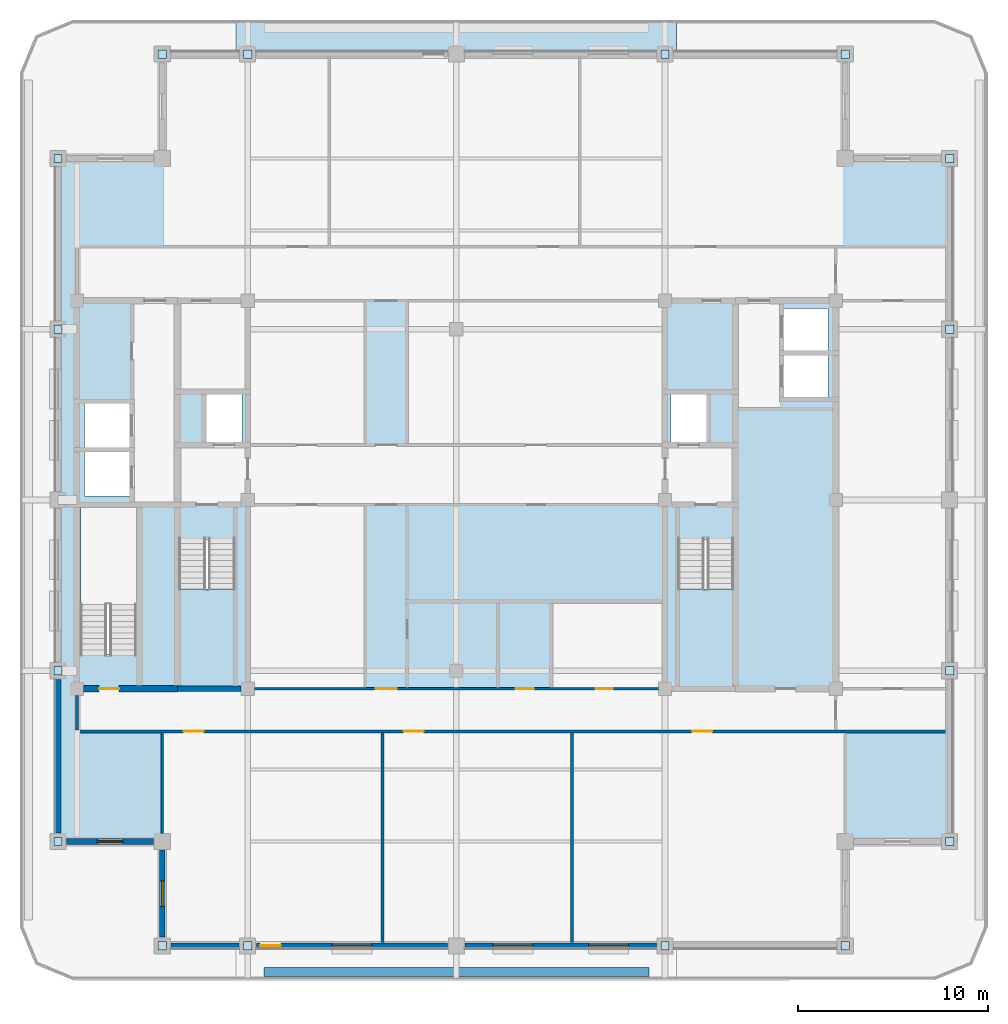
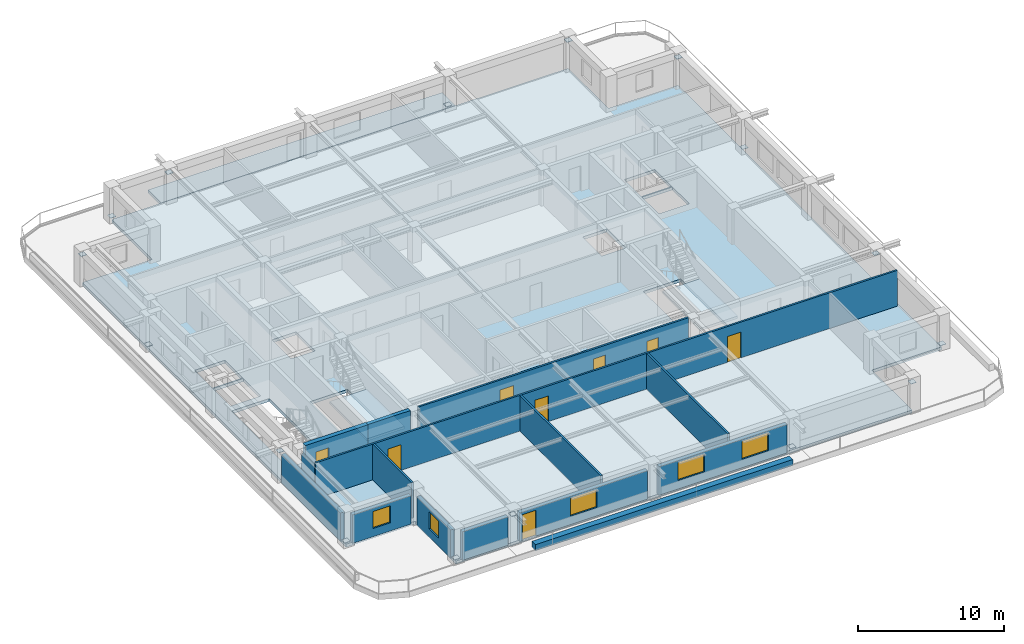
# One storey, part 2 of 11: 16 plates, 15 walls, 8 doors, 5 windows, 4 slabs, 13 openings, 2 elements without a shape of their own.
"""IFC4 building model written with IfcOpenShell, lengths in metres."""

import ifcopenshell
import ifcopenshell.guid

model = None  # the IFC model being written
_history = None  # IfcOwnerHistory: only IFC2X3 demands one
_inside = {}  # id of a spatial element -> (the spatial element, [elements in it])
_under = {}  # id of a project, library or spatial element -> (it, [spatial elements below it])
_declared = {}  # id of a project -> (the project, [libraries it declares])
_typed = {}  # id of a type object -> (the type object, [elements of that type])
_made_of = {}  # id of a material, layer set ... -> (it, [elements and type objects made of it])


def new_model(schema):
    """Start an empty IFC model of exactly this schema.

    Asked for "IFC4X3", IfcOpenShell would pick the latest addendum, in which some entities
    have other attributes; the version numbers below select the first issue.
    IFC2X3 requires an IfcOwnerHistory on every rooted entity: one is made here for all.
    """
    global model, _history
    if schema == "IFC4X3":
        model = ifcopenshell.file(schema_version=(4, 3, 0, 0))
    else:
        model = ifcopenshell.file(schema=schema)
    _inside.clear()
    _under.clear()
    _declared.clear()
    _typed.clear()
    _made_of.clear()
    _history = None
    if model.schema == "IFC2X3":
        org = make("IfcOrganization", Name="unknown")
        user = make(
            "IfcPersonAndOrganization",
            ThePerson=make("IfcPerson", FamilyName="unknown"),
            TheOrganization=org,
        )
        app = make(
            "IfcApplication",
            ApplicationDeveloper=org,
            Version="unknown",
            ApplicationFullName="unknown",
            ApplicationIdentifier="unknown",
        )
        _history = make(
            "IfcOwnerHistory",
            OwningUser=user,
            OwningApplication=app,
            ChangeAction="ADDED",
            CreationDate=0,
        )
    return model


def make(cls, **values):
    """One entity of the class cls with the attributes given. An attribute that is None is left unset."""
    return model.create_entity(
        cls, **{name: value for name, value in values.items() if value is not None}
    )


def rooted(cls, **values):
    """An entity with a GlobalId (a new one), such as an element, a storey or a relation."""
    return make(cls, GlobalId=ifcopenshell.guid.new(), OwnerHistory=_history, **values)


def si_unit(unit_type, name, prefix=None):
    """IfcSIUnit, for example si_unit("LENGTHUNIT", "METRE", prefix="MILLI")."""
    return make("IfcSIUnit", UnitType=unit_type, Prefix=prefix, Name=name)


def assignment(units):
    """IfcUnitAssignment: the units of a project."""
    return None if units is None else make("IfcUnitAssignment", Units=units)


def point(xyz):
    """IfcCartesianPoint."""
    return None if xyz is None else make("IfcCartesianPoint", Coordinates=xyz)


def direction(xyz):
    """IfcDirection."""
    return None if xyz is None else make("IfcDirection", DirectionRatios=xyz)


def frame(location, z_axis=None, x_axis=None):
    """IfcAxis2Placement3D, a coordinate frame: its origin and axes. An axis left out is left unset."""
    return make(
        "IfcAxis2Placement3D",
        Location=point(location),
        Axis=direction(z_axis),
        RefDirection=direction(x_axis),
    )


def frame_2d(location, x_axis=None):
    """IfcAxis2Placement2D, a coordinate frame in the plane: its origin and x axis."""
    return make(
        "IfcAxis2Placement2D", Location=point(location), RefDirection=direction(x_axis)
    )


def origin():
    """The frame at (0, 0, 0) with its axes left unset."""
    return frame((0.0, 0.0, 0.0))


def origin_2d():
    """The frame at (0, 0) in the plane with its x axis left unset."""
    return frame_2d((0.0, 0.0))


def place(relative_to, where):
    """IfcLocalPlacement: puts the frame where relative to a parent placement (None: the world)."""
    return make(
        "IfcLocalPlacement", PlacementRelTo=relative_to, RelativePlacement=where
    )


def context(
    kind, dimensions, precision=None, world=None, true_north=None, identifier=None
):
    """IfcGeometricRepresentationContext, for example the 3D "Model" context."""
    return make(
        "IfcGeometricRepresentationContext",
        ContextIdentifier=identifier,
        ContextType=kind,
        CoordinateSpaceDimension=dimensions,
        Precision=precision,
        WorldCoordinateSystem=world,
        TrueNorth=true_north,
    )


def subcontext(parent, identifier, kind, view, scale=None):
    """IfcGeometricRepresentationSubContext, for example "Body" below "Model"."""
    return make(
        "IfcGeometricRepresentationSubContext",
        ContextIdentifier=identifier,
        ContextType=kind,
        ParentContext=parent,
        TargetScale=scale,
        TargetView=view,
    )


def project(units=None, contexts=None):
    """IfcProject with its units and contexts."""
    return rooted(
        "IfcProject",
        Name="project",
        RepresentationContexts=contexts,
        UnitsInContext=assignment(units),
    )


def spatial(cls, under=None, at=None, **own):
    """A site, building, storey or space (cls), placed at a placement, below another one or the project."""
    s = rooted(cls, ObjectPlacement=at, **own)
    if under is not None:
        _under.setdefault(under.id(), (under, []))[1].append(s)
    return s


def polyline(points):
    """IfcPolyline through the points."""
    return make("IfcPolyline", Points=[point(p) for p in points])


def profile(cls, at=None, kind="AREA", **sizes):
    """A parametric profile (cls). Its sizes go by their IFC names, for example OverallWidth=200.0."""
    return make(cls, ProfileType=kind, Position=at, **sizes)


def rectangle(**sizes):
    """IfcRectangleProfileDef."""
    return profile("IfcRectangleProfileDef", **sizes)


def outline(outer, holes=None, kind="AREA"):
    """IfcArbitraryClosedProfileDef: a profile drawn as a closed curve; with holes, ...WithVoids."""
    if holes is None:
        return make("IfcArbitraryClosedProfileDef", ProfileType=kind, OuterCurve=outer)
    return make(
        "IfcArbitraryProfileDefWithVoids",
        ProfileType=kind,
        OuterCurve=outer,
        InnerCurves=holes,
    )


def extrude(swept, where, along, depth):
    """IfcExtrudedAreaSolid: the profile swept, set in the frame where, extruded along a direction by depth."""
    return make(
        "IfcExtrudedAreaSolid",
        SweptArea=swept,
        Position=where,
        ExtrudedDirection=direction(along),
        Depth=depth,
    )


def shape(context_of_items, identifier, shape_type, items):
    """IfcShapeRepresentation: the items that make up one representation, for example the "Body"."""
    return make(
        "IfcShapeRepresentation",
        ContextOfItems=context_of_items,
        RepresentationIdentifier=identifier,
        RepresentationType=shape_type,
        Items=items,
    )


def material(Name=None, Category=None):
    """IfcMaterial."""
    return make("IfcMaterial", Name=Name, Category=Category)


def layer(
    of_material, thickness, ventilated=None, Name=None, Category=None, Priority=None
):
    """IfcMaterialLayer: one layer of a wall or slab, of a material (None: an air gap)."""
    return make(
        "IfcMaterialLayer",
        Material=of_material,
        LayerThickness=thickness,
        IsVentilated=ventilated,
        Name=Name,
        Category=Category,
        Priority=Priority,
    )


def layer_set(layers, Name=None):
    """IfcMaterialLayerSet."""
    return make("IfcMaterialLayerSet", MaterialLayers=layers, LayerSetName=Name)


def made_of(thing, what):
    """Note that an element or type object is made of a material, layer set ...; save() writes the relation."""
    if what is not None:
        _made_of.setdefault(what.id(), (what, []))[1].append(thing)
    return thing


def type_object(cls, material=None, **own):
    """A type object (cls), such as IfcWallType, which elements share."""
    return made_of(rooted(cls, **own), material)


def element(
    cls,
    number,
    at=None,
    inside=None,
    cuts=None,
    type_object=None,
    material=None,
    context=None,
    identifier="Body",
    shape_type=None,
    held_by="IfcProductDefinitionShape",
    body=None,
    shapes=None,
    **own,
):
    """One element of the class cls, such as IfcWall. Its Tag is "e" and its number.

    at: its placement. inside: the storey or other place that contains it. cuts: it is an
    opening in that element (IfcRelVoidsElement). A single representation is given by context,
    identifier, shape_type and body (its items); several are given by shapes. held_by: the class
    of the entity that holds the representations. save() writes the other relations.
    """
    e = rooted(cls, Tag="e%d" % number, ObjectPlacement=at, **own)
    if body is not None:
        shapes = [shape(context, identifier, shape_type, body)]
    if shapes is not None:
        e.Representation = make(held_by, Representations=shapes)
    if inside is not None:
        _inside.setdefault(inside.id(), (inside, []))[1].append(e)
    if cuts is not None:
        rooted(
            "IfcRelVoidsElement", RelatingBuildingElement=cuts, RelatedOpeningElement=e
        )
    if type_object is not None:
        _typed.setdefault(type_object.id(), (type_object, []))[1].append(e)
    return made_of(e, material)


def fill(opening, filler):
    """IfcRelFillsElement: the door or window that sits in an opening."""
    return rooted(
        "IfcRelFillsElement",
        RelatingOpeningElement=opening,
        RelatedBuildingElement=filler,
    )


def aggregate(whole, parts):
    """IfcRelAggregates: a whole, such as a stair, and the parts it consists of."""
    return rooted("IfcRelAggregates", RelatingObject=whole, RelatedObjects=parts)


def save(model, path):
    """Write the relations noted so far, then the file.

    IfcRelAggregates (storeys below a building ...), IfcRelContainedInSpatialStructure (elements
    in a storey), IfcRelDefinesByType, IfcRelAssociatesMaterial and IfcRelDeclares: one each for
    every whole, place, type object, material and project.
    """
    for whole, parts in _under.values():
        aggregate(whole, parts)
    for where, things in _inside.values():
        rooted(
            "IfcRelContainedInSpatialStructure",
            RelatedElements=things,
            RelatingStructure=where,
        )
    for kind, things in _typed.values():
        rooted("IfcRelDefinesByType", RelatedObjects=things, RelatingType=kind)
    for what, things in _made_of.values():
        rooted("IfcRelAssociatesMaterial", RelatedObjects=things, RelatingMaterial=what)
    for by, libraries in _declared.values():
        rooted("IfcRelDeclares", RelatingContext=by, RelatedDefinitions=libraries)
    model.write(path)


model = new_model("IFC4")

# Units and contexts
model_context = context("Model", 3, precision=1e-05, world=origin(), true_north=direction((0.0, 1.0)))
body_context = subcontext(model_context, "Body", "Model", "MODEL_VIEW")
ifc_project = project(units=[si_unit("LENGTHUNIT", "METRE"), si_unit("AREAUNIT", "SQUARE_METRE"), si_unit("VOLUMEUNIT", "CUBIC_METRE"), si_unit("PLANEANGLEUNIT", "RADIAN"), si_unit("MASSUNIT", "GRAM", prefix="KILO")], contexts=[model_context])

# Site, building, storey
site_placement = place(None, origin())
site = spatial("IfcSite", under=ifc_project, at=site_placement, CompositionType="ELEMENT")
building_placement = place(site_placement, origin())
building = spatial("IfcBuilding", under=site, at=building_placement, Name="Zulmaris Gate Convention Tower", CompositionType="ELEMENT")
storey_placement = place(building_placement, frame((0.0, 0.0, 236.510009765625)))
storey = spatial("IfcBuildingStorey", under=building, at=storey_placement, Name="L62", CompositionType="ELEMENT", Elevation=236.510009765625)

# Plates
ifc_material_1 = material(Name="Steel S460", Category="steel")
ifc_layer_1 = layer(ifc_material_1, 0.02490234375, Name="Steel S460")
ifc_layer_set_1 = layer_set([ifc_layer_1], Name="Steel S460")
plate_type = type_object("IfcPlateType", Name="NP-CAP-440", PredefinedType="USERDEFINED", material=ifc_layer_set_1)
for number, where, z_axis, x_axis, name in (
    (1, (-21.0, -18.0, 0.28759765625), (0.0, 0.0, 1.0), (1.0, 0.0, 0.0), "L62 Steel Node Plate PBR-L62-SW-W-CAP"),
    (2, (-21.0, -9.0, 2.34765625), (0.0, 0.0, 1.0), (1.0, 0.0, 0.0), "L62 Steel Node Plate PBR-L62-SW-W-CAPB"),
    (3, (-21.0, 9.0, 0.28759765625), (0.0, 0.0, 1.0), (1.0, 0.0, 0.0), "L62 Steel Node Plate PBR-L62-NW-W-CAP"),
    (4, (-21.0, 18.0, 2.34765625), (0.0, 0.0, 1.0), (1.0, 0.0, 0.0), "L62 Steel Node Plate PBR-L62-NW-W-CAPB"),
    (5, (26.0, -18.0, 0.28759765625), (0.0, 0.0, 1.0), (1.0, 0.0, 0.0), "L62 Steel Node Plate PBR-L62-SE-E-CAP"),
    (6, (26.0, -9.0, 2.34765625), (0.0, 0.0, 1.0), (1.0, 0.0, 0.0), "L62 Steel Node Plate PBR-L62-SE-E-CAPB"),
    (7, (26.0, 9.0, 0.28759765625), (0.0, 0.0, 1.0), (1.0, 0.0, 0.0), "L62 Steel Node Plate PBR-L62-NE-E-CAP"),
    (8, (26.0, 18.0, 2.34765625), (0.0, 0.0, 1.0), (1.0, 0.0, 0.0), "L62 Steel Node Plate PBR-L62-NE-E-CAPB"),
    (9, (-15.5, -23.5, 0.28759765625), (0.0, 0.0, 1.0), (1.0, 0.0, 0.0), "L62 Steel Node Plate PBR-L62-SW-S-CAP"),
    (10, (-11.0, -23.5, 2.34765625), (0.0, 0.0, 1.0), (1.0, 0.0, 0.0), "L62 Steel Node Plate PBR-L62-SW-S-CAPB"),
    (11, (11.0, -23.5, 0.28759765625), (0.0, 0.0, 1.0), (1.0, 0.0, 0.0), "L62 Steel Node Plate PBR-L62-SE-S-CAP"),
    (12, (20.5, -23.5, 2.34765625), (0.0, 0.0, 1.0), (1.0, 0.0, 0.0), "L62 Steel Node Plate PBR-L62-SE-S-CAPB"),
    (13, (-15.5, 23.5, 0.28759765625), (0.0, 0.0, 1.0), (1.0, 0.0, 0.0), "L62 Steel Node Plate PBR-L62-NW-N-CAP"),
    (14, (-11.0, 23.5, 2.34765625), (0.0, 0.0, 1.0), (1.0, 0.0, 0.0), "L62 Steel Node Plate PBR-L62-NW-N-CAPB"),
    (15, (11.0, 23.5, 0.28759765625), (0.0, 0.0, 1.0), (1.0, 0.0, 0.0), "L62 Steel Node Plate PBR-L62-NE-N-CAP"),
    (16, (20.5, 23.5, 2.34765625), (0.0, 0.0, 1.0), (1.0, 0.0, 0.0), "L62 Steel Node Plate PBR-L62-NE-N-CAPB"),
):
    element("IfcPlate", number, at=place(storey_placement, frame(where, z_axis=z_axis, x_axis=x_axis)), inside=storey, type_object=plate_type, Name=name, ObjectType="FLANGE PLATE", PredefinedType="USERDEFINED", context=body_context, shape_type="SweptSolid", body=[
        extrude(rectangle(XDim=0.43994140625, YDim=0.43994140625, at=origin_2d()), origin(), (0.0, 0.0, 1.0), 0.02490234375),
    ])

# Slabs
ifc_material_2 = material(Name="Precast concrete C50/60", Category="concrete")
ifc_layer_2 = layer(ifc_material_2, 0.260009765625, Name="Precast concrete C50/60")
ifc_layer_set_2 = layer_set([ifc_layer_2], Name="Precast concrete C50/60")
slab_type_1 = type_object("IfcSlabType", Name="SL-BAL-260", PredefinedType="FLOOR", material=ifc_layer_set_2)
slab_1_placement = place(storey_placement, frame((0.0, 0.0, -0.25)))
element("IfcSlab", 17, at=slab_1_placement, inside=storey, type_object=slab_type_1, Name="L62 North Tree-Balcony Planter Slab", PredefinedType="FLOOR", context=body_context, shape_type="SweptSolid", body=[
    extrude(outline(polyline([(11.597900390625, 25.300048828125), (11.597900390625, 23.5), (-11.597900390625, 23.5), (-11.597900390625, 25.300048828125), (11.597900390625, 25.300048828125)])), origin(), (0.0, 0.0, 1.0), 0.260009765625),
])
ifc_material_3 = material(Name="Concrete C50/60", Category="concrete")
ifc_layer_3 = layer(ifc_material_3, 0.25, Name="Concrete C50/60")
ifc_layer_set_3 = layer_set([ifc_layer_3], Name="Concrete C50/60")
slab_type_2 = type_object("IfcSlabType", Name="SL-FLR-250", PredefinedType="FLOOR", material=ifc_layer_set_3)
slab_2_placement = place(storey_placement, frame((0.0, 0.0, -0.25)))
element("IfcSlab", 18, at=slab_2_placement, inside=storey, type_object=slab_type_2, Name="L62 Shifted Notched-Square Structural Floor Slab", PredefinedType="FLOOR", context=body_context, shape_type="SweptSolid", body=[
    extrude(outline(polyline([(-15.5, -23.5), (20.5, -23.5), (20.5, -18.0), (26.0, -18.0), (26.0, 18.0), (20.5, 18.0), (20.5, 23.5), (-15.5, 23.5), (-15.5, 18.0), (-21.0, 18.0), (-21.0, -18.0), (-15.5, -18.0), (-15.5, -23.5)]), holes=[polyline([(-14.6201171875, -2.080078125), (-14.6201171875, -9.85009765625), (-11.659912109375, -9.85009765625), (-11.659912109375, -2.080078125), (-14.6201171875, -2.080078125)]), polyline([(11.659912109375, -2.080078125), (11.659912109375, -9.85009765625), (14.6201171875, -9.85009765625), (14.6201171875, -2.080078125), (11.659912109375, -2.080078125)]), polyline([(-16.860107421875, -8.1201171875), (-16.860107421875, -0.35009765625), (-19.820068359375, -0.35009765625), (-19.820068359375, -8.1201171875), (-16.860107421875, -8.1201171875)]), polyline([(-13.199951171875, 3.0), (-11.300048828125, 3.0), (-11.300048828125, 5.60009765625), (-13.199951171875, 5.60009765625), (-13.199951171875, 3.0)]), polyline([(11.300048828125, 3.0), (13.199951171875, 3.0), (13.199951171875, 5.60009765625), (11.300048828125, 5.60009765625), (11.300048828125, 3.0)]), polyline([(17.199951171875, 5.39990234375), (19.60009765625, 5.39990234375), (19.60009765625, 7.699951171875), (17.199951171875, 7.699951171875), (17.199951171875, 5.39990234375)]), polyline([(17.199951171875, 7.800048828125), (19.60009765625, 7.800048828125), (19.60009765625, 10.10009765625), (17.199951171875, 10.10009765625), (17.199951171875, 7.800048828125)]), polyline([(-19.60009765625, 0.199951171875), (-17.199951171875, 0.199951171875), (-17.199951171875, 2.60009765625), (-19.60009765625, 2.60009765625), (-19.60009765625, 0.199951171875)]), polyline([(-19.60009765625, 2.699951171875), (-17.199951171875, 2.699951171875), (-17.199951171875, 5.10009765625), (-19.60009765625, 5.10009765625), (-19.60009765625, 2.699951171875)])]), origin(), (0.0, 0.0, 1.0), 0.25),
])

# Stair, slab
ifc_material_4 = material(Name="Concrete C45/55", Category="concrete")
stair_type = type_object("IfcStairType", Name="ST-CORE-DOGLEG", PredefinedType="HALF_TURN_STAIR", material=ifc_material_4)
stair_1_placement = place(storey_placement, origin())
stair_1 = element("IfcStair", 19, at=stair_1_placement, inside=storey, type_object=stair_type, Name="L62 Core Exit Stair ST-1", PredefinedType="HALF_TURN_STAIR")
ifc_layer_4 = layer(ifc_material_4, 0.199951171875, Name="Concrete C45/55")
ifc_layer_set_4 = layer_set([ifc_layer_4], Name="Concrete C45/55")
slab_type_3 = type_object("IfcSlabType", Name="SL-LND-200", PredefinedType="LANDING", material=ifc_layer_set_4)
slab_3_placement = place(storey_placement, frame((0.0, 0.0, 1.4150390625)))
slab_3 = element("IfcSlab", 20, at=slab_3_placement, type_object=slab_type_3, Name="ST-1 landing 1", PredefinedType="LANDING", context=body_context, shape_type="SweptSolid", body=[
    extrude(outline(polyline([(-14.6201171875, -4.699951171875), (-14.6201171875, -9.85009765625), (-11.659912109375, -9.85009765625), (-11.659912109375, -4.699951171875), (-14.6201171875, -4.699951171875)])), origin(), (0.0, 0.0, 1.0), 0.199951171875),
])
aggregate(stair_1, [slab_3])

stair_2_placement = place(storey_placement, origin())
stair_2 = element("IfcStair", 21, at=stair_2_placement, inside=storey, type_object=stair_type, Name="L62 Core Exit Stair ST-2", PredefinedType="HALF_TURN_STAIR")
slab_4_placement = place(storey_placement, frame((0.0, 0.0, 1.4150390625)))
slab_4 = element("IfcSlab", 22, at=slab_4_placement, type_object=slab_type_3, Name="ST-2 landing 1", PredefinedType="LANDING", context=body_context, shape_type="SweptSolid", body=[
    extrude(outline(polyline([(11.659912109375, -4.699951171875), (11.659912109375, -9.85009765625), (14.6201171875, -9.85009765625), (14.6201171875, -4.699951171875), (11.659912109375, -4.699951171875)])), origin(), (0.0, 0.0, 1.0), 0.199951171875),
])
aggregate(stair_2, [slab_4])

# Wall
ifc_layer_5 = layer(ifc_material_3, 0.300048828125, Name="Concrete C50/60")
ifc_layer_set_5 = layer_set([ifc_layer_5], Name="Concrete C50/60")
wall_type_1 = type_object("IfcWallType", Name="CORE-300", PredefinedType="SHEAR", material=ifc_layer_set_5)
wall_1_placement = place(storey_placement, frame((-14.699951171875, -9.949951171875, 0.0), z_axis=(0.0, 0.0, 1.0), x_axis=(1.0, 0.0, 0.0)))
element("IfcWall", 23, at=wall_1_placement, inside=storey, type_object=wall_type_1, Name="WL-L62-002", PredefinedType="SHEAR", context=body_context, shape_type="SweptSolid", body=[
    extrude(rectangle(XDim=3.345947265625, YDim=0.300048828125, at=frame_2d((1.6728515625, 0.0))), origin(), (0.0, 0.0, 1.0), 2.97998046875),
])

# Wall, opening, door
ifc_material_5 = material(Name="Concrete C55/67", Category="concrete")
ifc_layer_6 = layer(ifc_material_5, 0.35009765625, Name="Concrete C55/67")
ifc_layer_set_6 = layer_set([ifc_layer_6], Name="Concrete C55/67")
wall_type_2 = type_object("IfcWallType", Name="CORE-350", PredefinedType="SHEAR", material=ifc_layer_set_6)
wall_2_placement = place(storey_placement, frame((-19.64599609375, -9.949951171875, 0.0), z_axis=(0.0, 0.0, 1.0), x_axis=(1.0, 0.0, 0.0)))
wall_2 = element("IfcWall", 24, at=wall_2_placement, inside=storey, type_object=wall_type_2, Name="WL-L62-001", PredefinedType="SHEAR", context=body_context, shape_type="SweptSolid", body=[
    extrude(rectangle(XDim=4.946044921875, YDim=0.35009765625, at=frame_2d((2.47314453125, 0.0))), origin(), (0.0, 0.0, 1.0), 2.97998046875),
])
opening_1_placement = place(wall_2_placement, frame((0.821044921875, 0.0, 0.0)))
opening_1 = element("IfcOpeningElement", 25, at=opening_1_placement, cuts=wall_2, Name="Opening D-09", PredefinedType="OPENING", context=body_context, shape_type="SweptSolid", body=[
    extrude(rectangle(XDim=1.050048828125, YDim=2.14990234375, at=frame_2d((0.52490234375, 1.074951171875))), frame((0.0, 0.18505859375, 0.0), z_axis=(0.0, -1.0, 0.0), x_axis=(1.0, 0.0, 0.0)), (0.0, 0.0, 1.0), 0.3701171875),
])
ifc_material_6 = material(Name="Fire-Rated Steel", Category="steel")
door_type_1 = type_object("IfcDoorType", Name="DR-1050-FD", OperationType="NOTDEFINED", PredefinedType="DOOR", material=ifc_material_6)
door_1_placement = place(opening_1_placement, origin())
door_1 = element("IfcDoor", 26, at=door_1_placement, inside=storey, type_object=door_type_1, Name="L62 Exit Stair ST-3 Door 09", OperationType="SINGLE_SWING_RIGHT", OverallHeight=2.14990234375, OverallWidth=1.050048828125, PredefinedType="DOOR", context=body_context, shape_type="SweptSolid", body=[
    extrude(rectangle(XDim=1.050048828125, YDim=2.14990234375, at=frame_2d((0.52490234375, 1.074951171875))), frame((0.0, 0.02490234375, 0.0), z_axis=(0.0, -1.0, 0.0), x_axis=(1.0, 0.0, 0.0)), (0.0, 0.0, 1.0), 0.050048828125),
])
fill(opening_1, door_1)

# Wall, openings, doors
ifc_material_7 = material(Name="Gypsum Metal Stud Partition")
ifc_layer_7 = layer(ifc_material_7, 0.14990234375, Name="Gypsum Metal Stud Partition")
ifc_layer_set_7 = layer_set([ifc_layer_7], Name="Gypsum Metal Stud Partition")
wall_type_3 = type_object("IfcWallType", Name="PART-150", PredefinedType="PARTITIONING", material=ifc_layer_set_7)
wall_3_placement = place(storey_placement, frame((-20.074951171875, -12.199951171875, 0.0), z_axis=(0.0, 0.0, 1.0), x_axis=(1.0, 0.0, 0.0)))
wall_3 = element("IfcWall", 27, at=wall_3_placement, inside=storey, type_object=wall_type_3, Name="WL-L62-019", PredefinedType="PARTITIONING", context=body_context, shape_type="SweptSolid", body=[
    extrude(rectangle(XDim=45.909912109375, YDim=0.14990234375, at=frame_2d((22.955078125, 0.0))), origin(), (0.0, 0.0, 1.0), 2.97998046875),
])
opening_2_placement = place(wall_3_placement, frame((5.699951171875, 0.0, 0.0)))
opening_2 = element("IfcOpeningElement", 28, at=opening_2_placement, cuts=wall_3, Name="Opening D-09", PredefinedType="OPENING", context=body_context, shape_type="SweptSolid", body=[
    extrude(rectangle(XDim=1.050048828125, YDim=2.14990234375, at=frame_2d((0.52490234375, 1.074951171875))), frame((0.0, 0.0849609375, 0.0), z_axis=(0.0, -1.0, 0.0), x_axis=(1.0, 0.0, 0.0)), (0.0, 0.0, 1.0), 0.169921875),
])
opening_3_placement = place(wall_3_placement, frame((17.300048828125, 0.0, 0.0)))
opening_3 = element("IfcOpeningElement", 29, at=opening_3_placement, cuts=wall_3, Name="Opening D-09", PredefinedType="OPENING", context=body_context, shape_type="SweptSolid", body=[
    extrude(rectangle(XDim=1.050048828125, YDim=2.14990234375, at=frame_2d((0.52490234375, 1.074951171875))), frame((0.0, 0.0849609375, 0.0), z_axis=(0.0, -1.0, 0.0), x_axis=(1.0, 0.0, 0.0)), (0.0, 0.0, 1.0), 0.169921875),
])
opening_4_placement = place(wall_3_placement, frame((32.5, 0.0, 0.0)))
opening_4 = element("IfcOpeningElement", 30, at=opening_4_placement, cuts=wall_3, Name="Opening D-09", PredefinedType="OPENING", context=body_context, shape_type="SweptSolid", body=[
    extrude(rectangle(XDim=1.050048828125, YDim=2.14990234375, at=frame_2d((0.52490234375, 1.074951171875))), frame((0.0, 0.0849609375, 0.0), z_axis=(0.0, -1.0, 0.0), x_axis=(1.0, 0.0, 0.0)), (0.0, 0.0, 1.0), 0.169921875),
])
door_2_placement = place(opening_2_placement, origin())
door_2 = element("IfcDoor", 31, at=door_2_placement, inside=storey, type_object=door_type_1, Name="L62 Delegate Business Lounge Door 25", OperationType="SINGLE_SWING_RIGHT", OverallHeight=2.14990234375, OverallWidth=1.050048828125, PredefinedType="DOOR", context=body_context, shape_type="SweptSolid", body=[
    extrude(rectangle(XDim=1.050048828125, YDim=2.14990234375, at=frame_2d((0.52490234375, 1.074951171875))), frame((0.0, 0.02490234375, 0.0), z_axis=(0.0, -1.0, 0.0), x_axis=(1.0, 0.0, 0.0)), (0.0, 0.0, 1.0), 0.050048828125),
])
fill(opening_2, door_2)
door_3_placement = place(opening_3_placement, origin())
door_3 = element("IfcDoor", 32, at=door_3_placement, inside=storey, type_object=door_type_1, Name="L62 Commercial Advisory Office Door 26", OperationType="SINGLE_SWING_LEFT", OverallHeight=2.14990234375, OverallWidth=1.050048828125, PredefinedType="DOOR", context=body_context, shape_type="SweptSolid", body=[
    extrude(rectangle(XDim=1.050048828125, YDim=2.14990234375, at=frame_2d((0.52490234375, 1.074951171875))), frame((0.0, 0.02490234375, 0.0), z_axis=(0.0, -1.0, 0.0), x_axis=(1.0, 0.0, 0.0)), (0.0, 0.0, 1.0), 0.050048828125),
])
fill(opening_3, door_3)
door_4_placement = place(opening_4_placement, origin())
door_4 = element("IfcDoor", 33, at=door_4_placement, inside=storey, type_object=door_type_1, Name="L62 Regional Corporate Office Door 27", OperationType="SINGLE_SWING_RIGHT", OverallHeight=2.14990234375, OverallWidth=1.050048828125, PredefinedType="DOOR", context=body_context, shape_type="SweptSolid", body=[
    extrude(rectangle(XDim=1.050048828125, YDim=2.14990234375, at=frame_2d((0.52490234375, 1.074951171875))), frame((0.0, 0.02490234375, 0.0), z_axis=(0.0, -1.0, 0.0), x_axis=(1.0, 0.0, 0.0)), (0.0, 0.0, 1.0), 0.050048828125),
])
fill(opening_4, door_4)

wall_4_placement = place(storey_placement, frame((-10.64404296875, -9.949951171875, 0.0), z_axis=(0.0, 0.0, 1.0), x_axis=(1.0, 0.0, 0.0)))
wall_4 = element("IfcWall", 34, at=wall_4_placement, inside=storey, type_object=wall_type_3, Name="WL-L62-020", PredefinedType="PARTITIONING", context=body_context, shape_type="SweptSolid", body=[
    extrude(rectangle(XDim=21.2880859375, YDim=0.14990234375, at=frame_2d((10.64404296875, 0.0))), origin(), (0.0, 0.0, 1.0), 2.97998046875),
])
opening_5_placement = place(wall_4_placement, frame((6.39404296875, 0.0, 0.0)))
opening_5 = element("IfcOpeningElement", 35, at=opening_5_placement, cuts=wall_4, Name="Opening D-08", PredefinedType="OPENING", context=body_context, shape_type="SweptSolid", body=[
    extrude(rectangle(XDim=1.10009765625, YDim=2.14990234375, at=frame_2d((0.550048828125, 1.074951171875))), frame((0.0, 0.0849609375, 0.0), z_axis=(0.0, -1.0, 0.0), x_axis=(1.0, 0.0, 0.0)), (0.0, 0.0, 1.0), 0.169921875),
])
opening_6_placement = place(wall_4_placement, frame((13.76904296875, 0.0, 0.0)))
opening_6 = element("IfcOpeningElement", 36, at=opening_6_placement, cuts=wall_4, Name="Opening D-11", PredefinedType="OPENING", context=body_context, shape_type="SweptSolid", body=[
    extrude(rectangle(XDim=0.949951171875, YDim=2.14990234375, at=frame_2d((0.47509765625, 1.074951171875))), frame((0.0, 0.0849609375, 0.0), z_axis=(0.0, -1.0, 0.0), x_axis=(1.0, 0.0, 0.0)), (0.0, 0.0, 1.0), 0.169921875),
])
opening_7_placement = place(wall_4_placement, frame((17.993896484375, 0.0, 0.0)))
opening_7 = element("IfcOpeningElement", 37, at=opening_7_placement, cuts=wall_4, Name="Opening D-12", PredefinedType="OPENING", context=body_context, shape_type="SweptSolid", body=[
    extrude(rectangle(XDim=0.89990234375, YDim=2.14990234375, at=frame_2d((0.449951171875, 1.074951171875))), frame((0.0, 0.0849609375, 0.0), z_axis=(0.0, -1.0, 0.0), x_axis=(1.0, 0.0, 0.0)), (0.0, 0.0, 1.0), 0.169921875),
])
door_type_2 = type_object("IfcDoorType", Name="DR-1100-FD", OperationType="NOTDEFINED", PredefinedType="DOOR", material=ifc_material_6)
door_5_placement = place(opening_5_placement, origin())
door_5 = element("IfcDoor", 38, at=door_5_placement, inside=storey, type_object=door_type_2, Name="L62 Exec South Link Door 19", OperationType="SINGLE_SWING_RIGHT", OverallHeight=2.14990234375, OverallWidth=1.10009765625, PredefinedType="DOOR", context=body_context, shape_type="SweptSolid", body=[
    extrude(rectangle(XDim=1.10009765625, YDim=2.14990234375, at=frame_2d((0.550048828125, 1.074951171875))), frame((0.0, 0.02490234375, 0.0), z_axis=(0.0, -1.0, 0.0), x_axis=(1.0, 0.0, 0.0)), (0.0, 0.0, 1.0), 0.050048828125),
])
fill(opening_5, door_5)
ifc_material_8 = material(Name="Fire-Rated Timber", Category="wood")
door_type_3 = type_object("IfcDoorType", Name="DR-900-FD", OperationType="NOTDEFINED", PredefinedType="DOOR", material=ifc_material_8)
door_6_placement = place(opening_7_placement, origin())
door_6 = element("IfcDoor", 39, at=door_6_placement, inside=storey, type_object=door_type_3, Name="L62 Reprographics Office Door 34", OperationType="SINGLE_SWING_LEFT", OverallHeight=2.14990234375, OverallWidth=0.89990234375, PredefinedType="DOOR", context=body_context, shape_type="SweptSolid", body=[
    extrude(rectangle(XDim=0.89990234375, YDim=2.14990234375, at=frame_2d((0.449951171875, 1.074951171875))), frame((0.0, 0.02490234375, 0.0), z_axis=(0.0, -1.0, 0.0), x_axis=(1.0, 0.0, 0.0)), (0.0, 0.0, 1.0), 0.050048828125),
])
fill(opening_7, door_6)
door_type_4 = type_object("IfcDoorType", Name="DR-950-FD", OperationType="NOTDEFINED", PredefinedType="DOOR", material=ifc_material_8)
door_7_placement = place(opening_6_placement, origin())
door_7 = element("IfcDoor", 40, at=door_7_placement, inside=storey, type_object=door_type_4, Name="L62 Accessible WC Door 33", OperationType="SINGLE_SWING_RIGHT", OverallHeight=2.14990234375, OverallWidth=0.949951171875, PredefinedType="DOOR", context=body_context, shape_type="SweptSolid", body=[
    extrude(rectangle(XDim=0.949951171875, YDim=2.14990234375, at=frame_2d((0.47509765625, 1.074951171875))), frame((0.0, 0.02490234375, 0.0), z_axis=(0.0, -1.0, 0.0), x_axis=(1.0, 0.0, 0.0)), (0.0, 0.0, 1.0), 0.050048828125),
])
fill(opening_6, door_7)

# Walls
wall_5_placement = place(storey_placement, frame((-20.0, -12.1220703125, 0.0), z_axis=(0.0, 0.0, 1.0), x_axis=(0.0, 1.0, 0.0)))
element("IfcWall", 41, at=wall_5_placement, inside=storey, type_object=wall_type_3, Name="WL-L62-061", PredefinedType="PARTITIONING", context=body_context, shape_type="SweptSolid", body=[
    extrude(rectangle(XDim=1.816162109375, YDim=0.14990234375, at=frame_2d((0.908203125, 0.0))), origin(), (0.0, 0.0, 1.0), 2.570068359375),
])
wall_6_placement = place(storey_placement, frame((-15.5, -17.569091796875, 0.0), z_axis=(0.0, 0.0, 1.0), x_axis=(0.0, 1.0, 0.0)))
element("IfcWall", 42, at=wall_6_placement, inside=storey, type_object=wall_type_3, Name="WL-L62-064", PredefinedType="PARTITIONING", context=body_context, shape_type="SweptSolid", body=[
    extrude(rectangle(XDim=5.291015625, YDim=0.14990234375, at=frame_2d((2.6455078125, 0.0))), origin(), (0.0, 0.0, 1.0), 2.97998046875),
])
for number, where, z_axis, x_axis, name in (
    (43, (-3.89990234375, -23.3349609375, 0.0), (0.0, 0.0, 1.0), (0.0, 1.0, 0.0), "WL-L62-068"),
    (44, (6.10009765625, -23.3349609375, 0.0), (0.0, 0.0, 1.0), (0.0, 1.0, 0.0), "WL-L62-074"),
):
    element("IfcWall", number, at=place(storey_placement, frame(where, z_axis=z_axis, x_axis=x_axis)), inside=storey, type_object=wall_type_3, Name=name, PredefinedType="PARTITIONING", context=body_context, shape_type="SweptSolid", body=[
        extrude(rectangle(XDim=11.056884765625, YDim=0.14990234375, at=frame_2d((5.5283203125, 0.0))), origin(), (0.0, 0.0, 1.0), 2.97998046875),
    ])
ifc_material_9 = material(Name="Botanical Green Glazed Precast Concrete C40/50", Category="concrete")
ifc_layer_8 = layer(ifc_material_9, 0.419921875, Name="Botanical Green Glazed Precast Concrete C40/50")
ifc_layer_set_8 = layer_set([ifc_layer_8], Name="Botanical Green Glazed Precast Concrete C40/50")
wall_type_4 = type_object("IfcWallType", Name="PLANTER-CURB-200", PredefinedType="PARAPET", material=ifc_layer_set_8)
wall_7_placement = place(storey_placement, frame((-10.14990234375, -24.8798828125, -0.0400390625), z_axis=(0.0, 0.0, 1.0), x_axis=(1.0, 0.0, 0.0)))
element("IfcWall", 45, at=wall_7_placement, inside=storey, type_object=wall_type_4, Name="L62 Full-Length Balcony Tree Planter Trough", PredefinedType="PARAPET", context=body_context, shape_type="SweptSolid", body=[
    extrude(rectangle(XDim=20.2998046875, YDim=0.47998046875, at=frame_2d((10.14990234375, 0.0))), origin(), (0.0, 0.0, 1.0), 0.52001953125),
])

# Wall, opening, window
ifc_material_10 = material(Name="Precast concrete C40/50", Category="concrete")
ifc_layer_9 = layer(ifc_material_10, 0.300048828125, Name="Precast concrete C40/50")
ifc_layer_set_9 = layer_set([ifc_layer_9], Name="Precast concrete C40/50")
wall_type_5 = type_object("IfcWallType", Name="PRECAST-PIER-300", PredefinedType="STANDARD", material=ifc_layer_set_9)
wall_8_placement = place(storey_placement, frame((-20.544921875, -18.0, 0.0), z_axis=(0.0, 0.0, 1.0), x_axis=(1.0, 0.0, 0.0)))
wall_8 = element("IfcWall", 46, at=wall_8_placement, inside=storey, type_object=wall_type_5, Name="EW-L62-NOTCH-SW1_0", PredefinedType="STANDARD", context=body_context, shape_type="SweptSolid", body=[
    extrude(rectangle(XDim=4.58984375, YDim=0.300048828125, at=frame_2d((2.294921875, 0.0))), origin(), (0.0, 0.0, 1.0), 2.3720703125),
])
opening_8_placement = place(wall_8_placement, frame((1.6201171875, 0.0, 0.679931640625)))
opening_8 = element("IfcOpeningElement", 47, at=opening_8_placement, cuts=wall_8, Name="Opening W-10", PredefinedType="OPENING", context=body_context, shape_type="SweptSolid", body=[
    extrude(rectangle(XDim=1.35009765625, YDim=1.419921875, at=frame_2d((0.675048828125, 0.7099609375))), frame((0.0, 0.16015625, 0.0), z_axis=(0.0, -1.0, 0.0), x_axis=(1.0, 0.0, 0.0)), (0.0, 0.0, 1.0), 0.320068359375),
])
ifc_material_11 = material(Name="Low-E Laminated Double Glazing in Aluminium Frame", Category="aluminium")
window_type_1 = type_object("IfcWindowType", Name="WIN-1350x2000", PartitioningType="SINGLE_PANEL", PredefinedType="WINDOW", material=ifc_material_11)
window_1_placement = place(opening_8_placement, origin())
window_1 = element("IfcWindow", 48, at=window_1_placement, inside=storey, type_object=window_type_1, Name="WN-EW-L62-NOTCH-SW1_0", OverallHeight=1.419921875, OverallWidth=1.35009765625, PartitioningType="SINGLE_PANEL", PredefinedType="WINDOW", context=body_context, shape_type="SweptSolid", body=[
    extrude(rectangle(XDim=1.35009765625, YDim=1.419921875, at=frame_2d((0.675048828125, 0.7099609375))), frame((0.0, 0.030029296875, 0.0), z_axis=(0.0, -1.0, 0.0), x_axis=(1.0, 0.0, 0.0)), (0.0, 0.0, 1.0), 0.06005859375),
])
fill(opening_8, window_1)

wall_9_placement = place(storey_placement, frame((-15.5, -18.455078125, 0.0), z_axis=(0.0, 0.0, 1.0), x_axis=(0.0, -1.0, 0.0)))
wall_9 = element("IfcWall", 49, at=wall_9_placement, inside=storey, type_object=wall_type_5, Name="EW-L62-NOTCH-SW2_0", PredefinedType="STANDARD", context=body_context, shape_type="SweptSolid", body=[
    extrude(rectangle(XDim=4.58984375, YDim=0.300048828125, at=frame_2d((2.294921875, 0.0))), origin(), (0.0, 0.0, 1.0), 2.3720703125),
])
opening_9_placement = place(wall_9_placement, frame((1.6201171875, 0.0, 0.679931640625)))
opening_9 = element("IfcOpeningElement", 50, at=opening_9_placement, cuts=wall_9, Name="Opening W-10", PredefinedType="OPENING", context=body_context, shape_type="SweptSolid", body=[
    extrude(rectangle(XDim=1.35009765625, YDim=1.419921875, at=frame_2d((0.675048828125, 0.7099609375))), frame((0.0, 0.16015625, 0.0), z_axis=(0.0, -1.0, 0.0), x_axis=(1.0, 0.0, 0.0)), (0.0, 0.0, 1.0), 0.320068359375),
])
window_2_placement = place(opening_9_placement, origin())
window_2 = element("IfcWindow", 51, at=window_2_placement, inside=storey, type_object=window_type_1, Name="WN-EW-L62-NOTCH-SW2_0", OverallHeight=1.419921875, OverallWidth=1.35009765625, PartitioningType="SINGLE_PANEL", PredefinedType="WINDOW", context=body_context, shape_type="SweptSolid", body=[
    extrude(rectangle(XDim=1.35009765625, YDim=1.419921875, at=frame_2d((0.675048828125, 0.7099609375))), frame((0.0, 0.030029296875, 0.0), z_axis=(0.0, -1.0, 0.0), x_axis=(1.0, 0.0, 0.0)), (0.0, 0.0, 1.0), 0.06005859375),
])
fill(opening_9, window_2)

# Wall
wall_10_placement = place(storey_placement, frame((-15.044921875, -23.5, 0.0), z_axis=(0.0, 0.0, 1.0), x_axis=(1.0, 0.0, 0.0)))
element("IfcWall", 52, at=wall_10_placement, inside=storey, type_object=wall_type_5, Name="EW-L62-S-0_0", PredefinedType="STANDARD", context=body_context, shape_type="SweptSolid", body=[
    extrude(rectangle(XDim=3.58984375, YDim=0.300048828125, at=frame_2d((1.794921875, 0.0))), origin(), (0.0, 0.0, 1.0), 2.3720703125),
])

# Wall, openings, door, window
wall_11_placement = place(storey_placement, frame((-10.544921875, -23.5, 0.0), z_axis=(0.0, 0.0, 1.0), x_axis=(1.0, 0.0, 0.0)))
wall_11 = element("IfcWall", 53, at=wall_11_placement, inside=storey, type_object=wall_type_5, Name="EW-L62-S-1_0", PredefinedType="STANDARD", context=body_context, shape_type="SweptSolid", body=[
    extrude(rectangle(XDim=10.08984375, YDim=0.300048828125, at=frame_2d((5.044921875, 0.0))), origin(), (0.0, 0.0, 1.0), 2.3720703125),
])
opening_10_placement = place(wall_11_placement, frame((0.199951171875, 0.0, 0.0)))
opening_10 = element("IfcOpeningElement", 54, at=opening_10_placement, cuts=wall_11, Name="Opening D-04", PredefinedType="OPENING", context=body_context, shape_type="SweptSolid", body=[
    extrude(rectangle(XDim=1.10009765625, YDim=2.14990234375, at=frame_2d((0.550048828125, 1.074951171875))), frame((0.0, 0.16015625, 0.0), z_axis=(0.0, -1.0, 0.0), x_axis=(1.0, 0.0, 0.0)), (0.0, 0.0, 1.0), 0.320068359375),
])
opening_11_placement = place(wall_11_placement, frame((3.9951171875, 0.0, 0.699951171875)))
opening_11 = element("IfcOpeningElement", 55, at=opening_11_placement, cuts=wall_11, Name="Opening W-05", PredefinedType="OPENING", context=body_context, shape_type="SweptSolid", body=[
    extrude(rectangle(XDim=2.10009765625, YDim=1.5, at=frame_2d((1.050048828125, 0.75))), frame((0.0, 0.16015625, 0.0), z_axis=(0.0, -1.0, 0.0), x_axis=(1.0, 0.0, 0.0)), (0.0, 0.0, 1.0), 0.320068359375),
])
ifc_material_12 = material(Name="Anodised Aluminium and Laminated Glass", Category="aluminium")
door_type_5 = type_object("IfcDoorType", Name="ED-1100", OperationType="SINGLE_SWING_RIGHT", PredefinedType="DOOR", material=ifc_material_12)
door_8_placement = place(opening_10_placement, origin())
door_8 = element("IfcDoor", 56, at=door_8_placement, inside=storey, type_object=door_type_5, Name="L62 S Planted Terrace Door", OperationType="SINGLE_SWING_RIGHT", OverallHeight=2.14990234375, OverallWidth=1.10009765625, PredefinedType="DOOR", context=body_context, shape_type="SweptSolid", body=[
    extrude(rectangle(XDim=1.10009765625, YDim=2.14990234375, at=frame_2d((0.550048828125, 1.074951171875))), frame((0.0, 0.02490234375, 0.0), z_axis=(0.0, -1.0, 0.0), x_axis=(1.0, 0.0, 0.0)), (0.0, 0.0, 1.0), 0.050048828125),
])
fill(opening_10, door_8)
window_type_2 = type_object("IfcWindowType", Name="WIN-2100x2400", PartitioningType="SINGLE_PANEL", PredefinedType="WINDOW", material=ifc_material_11)
window_3_placement = place(opening_11_placement, origin())
window_3 = element("IfcWindow", 57, at=window_3_placement, inside=storey, type_object=window_type_2, Name="WN-EW-L62-S-1_0-2", OverallHeight=1.5, OverallWidth=2.10009765625, PartitioningType="SINGLE_PANEL", PredefinedType="WINDOW", context=body_context, shape_type="SweptSolid", body=[
    extrude(rectangle(XDim=2.10009765625, YDim=1.5, at=frame_2d((1.050048828125, 0.75))), frame((0.0, 0.030029296875, 0.0), z_axis=(0.0, -1.0, 0.0), x_axis=(1.0, 0.0, 0.0)), (0.0, 0.0, 1.0), 0.06005859375),
])
fill(opening_11, window_3)

# Wall, openings, windows
wall_12_placement = place(storey_placement, frame((0.455078125, -23.5, 0.0), z_axis=(0.0, 0.0, 1.0), x_axis=(1.0, 0.0, 0.0)))
wall_12 = element("IfcWall", 58, at=wall_12_placement, inside=storey, type_object=wall_type_5, Name="EW-L62-S-2_0", PredefinedType="STANDARD", context=body_context, shape_type="SweptSolid", body=[
    extrude(rectangle(XDim=10.08984375, YDim=0.300048828125, at=frame_2d((5.044921875, 0.0))), origin(), (0.0, 0.0, 1.0), 2.3720703125),
])
opening_12_placement = place(wall_12_placement, frame((1.471923828125, 0.0, 0.699951171875)))
opening_12 = element("IfcOpeningElement", 59, at=opening_12_placement, cuts=wall_12, Name="Opening W-05", PredefinedType="OPENING", context=body_context, shape_type="SweptSolid", body=[
    extrude(rectangle(XDim=2.10009765625, YDim=1.5, at=frame_2d((1.050048828125, 0.75))), frame((0.0, 0.16015625, 0.0), z_axis=(0.0, -1.0, 0.0), x_axis=(1.0, 0.0, 0.0)), (0.0, 0.0, 1.0), 0.320068359375),
])
opening_13_placement = place(wall_12_placement, frame((6.51806640625, 0.0, 0.699951171875)))
opening_13 = element("IfcOpeningElement", 60, at=opening_13_placement, cuts=wall_12, Name="Opening W-05", PredefinedType="OPENING", context=body_context, shape_type="SweptSolid", body=[
    extrude(rectangle(XDim=2.10009765625, YDim=1.5, at=frame_2d((1.050048828125, 0.75))), frame((0.0, 0.16015625, 0.0), z_axis=(0.0, -1.0, 0.0), x_axis=(1.0, 0.0, 0.0)), (0.0, 0.0, 1.0), 0.320068359375),
])
window_4_placement = place(opening_12_placement, origin())
window_4 = element("IfcWindow", 61, at=window_4_placement, inside=storey, type_object=window_type_2, Name="WN-EW-L62-S-2_0-1", OverallHeight=1.5, OverallWidth=2.10009765625, PartitioningType="SINGLE_PANEL", PredefinedType="WINDOW", context=body_context, shape_type="SweptSolid", body=[
    extrude(rectangle(XDim=2.10009765625, YDim=1.5, at=frame_2d((1.050048828125, 0.75))), frame((0.0, 0.030029296875, 0.0), z_axis=(0.0, -1.0, 0.0), x_axis=(1.0, 0.0, 0.0)), (0.0, 0.0, 1.0), 0.06005859375),
])
fill(opening_12, window_4)
window_5_placement = place(opening_13_placement, origin())
window_5 = element("IfcWindow", 62, at=window_5_placement, inside=storey, type_object=window_type_2, Name="WN-EW-L62-S-2_0-3", OverallHeight=1.5, OverallWidth=2.10009765625, PartitioningType="SINGLE_PANEL", PredefinedType="WINDOW", context=body_context, shape_type="SweptSolid", body=[
    extrude(rectangle(XDim=2.10009765625, YDim=1.5, at=frame_2d((1.050048828125, 0.75))), frame((0.0, 0.030029296875, 0.0), z_axis=(0.0, -1.0, 0.0), x_axis=(1.0, 0.0, 0.0)), (0.0, 0.0, 1.0), 0.06005859375),
])
fill(opening_13, window_5)

# Wall
wall_13_placement = place(storey_placement, frame((-21.0, -9.455078125, 0.0), z_axis=(0.0, 0.0, 1.0), x_axis=(0.0, -1.0, 0.0)))
element("IfcWall", 63, at=wall_13_placement, inside=storey, type_object=wall_type_5, Name="EW-L62-W-0_0", PredefinedType="STANDARD", context=body_context, shape_type="SweptSolid", body=[
    extrude(rectangle(XDim=8.08984375, YDim=0.300048828125, at=frame_2d((4.044921875, 0.0))), origin(), (0.0, 0.0, 1.0), 2.3720703125),
])

save(model, "model.ifc")
